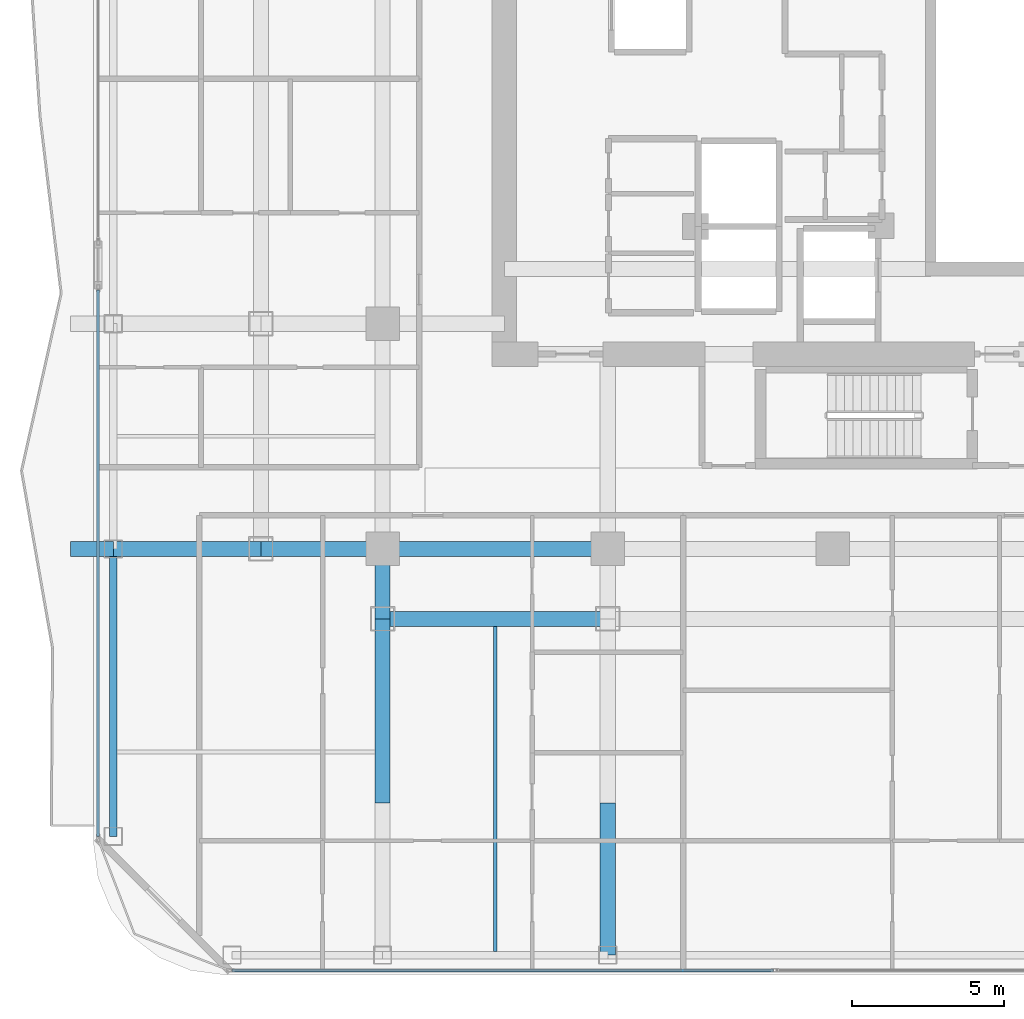
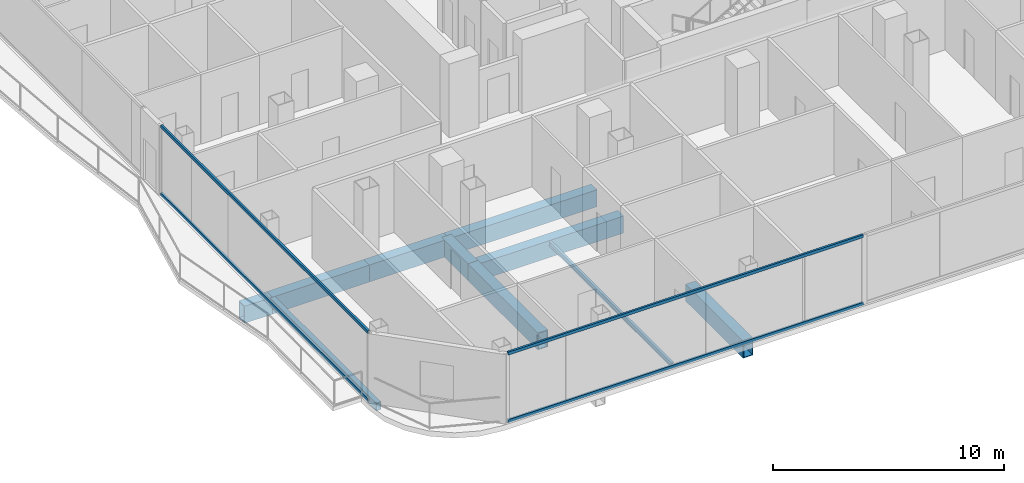
# One storey, part 3 of 24: 10 beams, 4 members, 2 elements without a shape of their own.
"""IFC4 building model written with IfcOpenShell, lengths in metres."""

from ifc_helpers import new_model, si_unit, direction, frame, origin, origin_2d, place, context, subcontext, project, spatial, hollow_rectangle, i_section, extrude, material, layer, layer_set, material_profile, profile_set, type_object, element, aggregate, save


model = new_model("IFC4")

# Units and contexts
model_context = context("Model", 3, precision=1e-05, world=origin(), true_north=direction((0.0, 1.0)))
body_context = subcontext(model_context, "Body", "Model", "MODEL_VIEW")
ifc_project = project(units=[si_unit("LENGTHUNIT", "METRE"), si_unit("AREAUNIT", "SQUARE_METRE"), si_unit("VOLUMEUNIT", "CUBIC_METRE"), si_unit("PLANEANGLEUNIT", "RADIAN"), si_unit("MASSUNIT", "GRAM", prefix="KILO")], contexts=[model_context])

# Site, building, storey
site_placement = place(None, origin())
site = spatial("IfcSite", under=ifc_project, at=site_placement, CompositionType="ELEMENT")
building_placement = place(site_placement, origin())
building = spatial("IfcBuilding", under=site, at=building_placement, Name="Khorvyn Point Tower", CompositionType="ELEMENT")
storey_placement = place(building_placement, frame((0.0, 0.0, 191.39990234375)))
storey = spatial("IfcBuildingStorey", under=building, at=storey_placement, Name="L47", CompositionType="ELEMENT", Elevation=191.39990234375)

# Curtain wall, members
ifc_material_1 = material(Name="Anodised aluminium 6063-T6 and laminated Low-E glass", Category="aluminium")
ifc_layer = layer(ifc_material_1, 0.18994140625)
ifc_layer_set = layer_set([ifc_layer], Name="Stick-Built Acoustic Curtain Wall CW-SYS-03")
curtain_wall_type = type_object("IfcCurtainWallType", Name="Stick-Built Acoustic Curtain Wall CW-SYS-03", PredefinedType="NOTDEFINED", material=ifc_layer_set)
curtain_wall_1_placement = place(storey_placement, origin())
curtain_wall_1 = element("IfcCurtainWall", 1, at=curtain_wall_1_placement, inside=storey, type_object=curtain_wall_type, Name="Curtain Wall", PredefinedType="NOTDEFINED")
ifc_material_2 = material(Name="Anodised aluminium 6063-T6", Category="aluminium")
ifc_material_profile_1 = material_profile(ifc_material_2, hollow_rectangle(XDim=0.10009765625, YDim=0.159912109375, WallThickness=0.00439453125, at=origin_2d()))
ifc_profile_set_1 = profile_set([ifc_material_profile_1], Name="Anodised aluminium 6063-T6 ALU-TRN-100x160")
member_type = type_object("IfcMemberType", Name="Anodised Aluminium 6063-T6 Transom ALU-TRN-100x160", PredefinedType="USERDEFINED", material=ifc_profile_set_1)
member_1_placement = place(storey_placement, frame((-1.949951171875, -28.64990234375, 0.050048828125), z_axis=(-1.0, 0.0, 0.0), x_axis=(0.0, -1.0, 0.0)))
member_1 = element("IfcMember", 2, at=member_1_placement, type_object=member_type, Name="Transom", ObjectType="TRANSOM", PredefinedType="USERDEFINED", context=body_context, shape_type="SweptSolid", body=[
    extrude(hollow_rectangle(XDim=0.10009765625, YDim=0.159912109375, WallThickness=0.00439453125, at=origin_2d()), origin(), (0.0, 0.0, 1.0), 17.800048828125),
])
member_2_placement = place(storey_placement, frame((-1.949951171875, -28.64990234375, 3.630126953125), z_axis=(-1.0, 0.0, 0.0), x_axis=(0.0, -1.0, 0.0)))
member_2 = element("IfcMember", 3, at=member_2_placement, type_object=member_type, Name="Transom", ObjectType="TRANSOM", PredefinedType="USERDEFINED", context=body_context, shape_type="SweptSolid", body=[
    extrude(hollow_rectangle(XDim=0.10009765625, YDim=0.159912109375, WallThickness=0.00439453125, at=origin_2d()), origin(), (0.0, 0.0, 1.0), 17.800048828125),
])
aggregate(curtain_wall_1, [member_1, member_2])

curtain_wall_2_placement = place(storey_placement, origin())
curtain_wall_2 = element("IfcCurtainWall", 4, at=curtain_wall_2_placement, inside=storey, type_object=curtain_wall_type, Name="Curtain Wall", PredefinedType="NOTDEFINED")
member_3_placement = place(storey_placement, frame((-24.14990234375, -24.25, 0.050048828125), z_axis=(0.0, 1.0, 0.0), x_axis=(-1.0, 0.0, 0.0)))
member_3 = element("IfcMember", 5, at=member_3_placement, type_object=member_type, Name="Transom", ObjectType="TRANSOM", PredefinedType="USERDEFINED", context=body_context, shape_type="SweptSolid", body=[
    extrude(hollow_rectangle(XDim=0.10009765625, YDim=0.159912109375, WallThickness=0.00439453125, at=origin_2d()), origin(), (0.0, 0.0, 1.0), 17.966064453125),
])
member_4_placement = place(storey_placement, frame((-24.14990234375, -24.25, 3.630126953125), z_axis=(0.0, 1.0, 0.0), x_axis=(-1.0, 0.0, 0.0)))
member_4 = element("IfcMember", 6, at=member_4_placement, type_object=member_type, Name="Transom", ObjectType="TRANSOM", PredefinedType="USERDEFINED", context=body_context, shape_type="SweptSolid", body=[
    extrude(hollow_rectangle(XDim=0.10009765625, YDim=0.159912109375, WallThickness=0.00439453125, at=origin_2d()), origin(), (0.0, 0.0, 1.0), 17.966064453125),
])
aggregate(curtain_wall_2, [member_3, member_4])

# Beams
ifc_material_3 = material(Name="Steel S355", Category="steel")
ifc_material_profile_2 = material_profile(ifc_material_3, i_section(OverallWidth=0.125, OverallDepth=0.25, WebThickness=0.006103515625, FlangeThickness=0.009033203125, at=origin_2d()))
ifc_profile_set_2 = profile_set([ifc_material_profile_2], Name="Steel S355 H250x125x6x9")
beam_type_1 = type_object("IfcBeamType", Name="Steel S355 Joist H250x125x6x9", PredefinedType="JOIST", material=ifc_profile_set_2)
beam_1_placement = place(storey_placement, frame((-11.10009765625, -28.02490234375, -0.40478515625), z_axis=(0.0, 1.0, 0.0), x_axis=(-1.0, 0.0, 0.0)))
element("IfcBeam", 7, at=beam_1_placement, inside=storey, type_object=beam_type_1, Name="Beam", PredefinedType="JOIST", context=body_context, shape_type="SweptSolid", body=[
    extrude(i_section(OverallWidth=0.125, OverallDepth=0.25, WebThickness=0.006103515625, FlangeThickness=0.009033203125, at=origin_2d()), origin(), (0.0, 0.0, 1.0), 10.6748046875),
])
ifc_material_profile_3 = material_profile(ifc_material_3, hollow_rectangle(XDim=0.25, YDim=0.39990234375, WallThickness=0.01611328125, at=origin_2d()))
ifc_profile_set_3 = profile_set([ifc_material_profile_3], Name="Steel S355 RHS400x250x16")
beam_type_2 = type_object("IfcBeamType", Name="Steel S355 Spandrel RHS400x250x16", PredefinedType="SPANDREL", material=ifc_profile_set_3)
beam_2_placement = place(storey_placement, frame((-23.64990234375, -24.25, -0.47998046875), z_axis=(0.0, 1.0, 0.0), x_axis=(-1.0, 0.0, 0.0)))
element("IfcBeam", 8, at=beam_2_placement, inside=storey, type_object=beam_type_2, Name="Beam", PredefinedType="SPANDREL", context=body_context, shape_type="SweptSolid", body=[
    extrude(hollow_rectangle(XDim=0.25, YDim=0.39990234375, WallThickness=0.01611328125, at=origin_2d()), origin(), (0.0, 0.0, 1.0), 9.449951171875),
])
ifc_material_4 = material(Name="Steel S450", Category="steel")
ifc_material_profile_4 = material_profile(ifc_material_4, hollow_rectangle(XDim=0.5, YDim=0.89990234375, WallThickness=0.0400390625, at=origin_2d()))
ifc_profile_set_4 = profile_set([ifc_material_profile_4], Name="Steel S450 BOX900x500x40")
beam_type_3 = type_object("IfcBeamType", Name="Steel S450 Beam BOX900x500x40", PredefinedType="BEAM", material=ifc_profile_set_4)
beam_3_placement = place(storey_placement, frame((-25.050048828125, -14.800048828125, -0.72998046875), z_axis=(1.0, 0.0, 0.0), x_axis=(0.0, 1.0, 0.0)))
element("IfcBeam", 9, at=beam_3_placement, inside=storey, type_object=beam_type_3, Name="L47 Radial Transfer Girder", PredefinedType="BEAM", context=body_context, shape_type="SweptSolid", body=[
    extrude(hollow_rectangle(XDim=0.5, YDim=0.89990234375, WallThickness=0.0400390625, at=origin_2d()), origin(), (0.0, 0.0, 1.0), 1.400146484375),
])
beam_4_placement = place(storey_placement, frame((-23.64990234375, -14.800048828125, -0.72998046875), z_axis=(1.0, 0.0, 0.0), x_axis=(0.0, 1.0, 0.0)))
element("IfcBeam", 10, at=beam_4_placement, inside=storey, type_object=beam_type_3, Name="L47 Radial Transfer Girder", PredefinedType="BEAM", context=body_context, shape_type="SweptSolid", body=[
    extrude(hollow_rectangle(XDim=0.5, YDim=0.89990234375, WallThickness=0.0400390625, at=origin_2d()), origin(), (0.0, 0.0, 1.0), 4.849853515625),
])
beam_5_placement = place(storey_placement, frame((-18.800048828125, -14.800048828125, -0.72998046875), z_axis=(1.0, 0.0, 0.0), x_axis=(0.0, 1.0, 0.0)))
element("IfcBeam", 11, at=beam_5_placement, inside=storey, type_object=beam_type_3, Name="L47 Radial Transfer Girder", PredefinedType="BEAM", context=body_context, shape_type="SweptSolid", body=[
    extrude(hollow_rectangle(XDim=0.5, YDim=0.89990234375, WallThickness=0.0400390625, at=origin_2d()), origin(), (0.0, 0.0, 1.0), 4.0),
])
for number, where, z_axis, x_axis, name in (
    (12, (-14.800048828125, -14.800048828125, -0.72998046875), (1.0, 0.0, 0.0), (0.0, 1.0, 0.0), "L47 Radial Transfer Girder"),
    (13, (-14.800048828125, -17.10009765625, -0.72998046875), (1.0, 0.0, 0.0), (0.0, 1.0, 0.0), "Beam"),
):
    element("IfcBeam", number, at=place(storey_placement, frame(where, z_axis=z_axis, x_axis=x_axis)), inside=storey, type_object=beam_type_3, Name=name, PredefinedType="BEAM", context=body_context, shape_type="SweptSolid", body=[
        extrude(hollow_rectangle(XDim=0.5, YDim=0.89990234375, WallThickness=0.0400390625, at=origin_2d()), origin(), (0.0, 0.0, 1.0), 7.400146484375),
    ])
beam_6_placement = place(storey_placement, frame((-14.800048828125, -23.14990234375, -0.72998046875), z_axis=(0.0, 1.0, 0.0), x_axis=(-1.0, 0.0, 0.0)))
element("IfcBeam", 14, at=beam_6_placement, inside=storey, type_object=beam_type_3, Name="L47 Radial Transfer Girder", PredefinedType="BEAM", context=body_context, shape_type="SweptSolid", body=[
    extrude(hollow_rectangle(XDim=0.5, YDim=0.89990234375, WallThickness=0.0400390625, at=origin_2d()), origin(), (0.0, 0.0, 1.0), 6.0498046875),
])
beam_7_placement = place(storey_placement, frame((-14.800048828125, -17.10009765625, -0.72998046875), z_axis=(0.0, 1.0, 0.0), x_axis=(-1.0, 0.0, 0.0)))
element("IfcBeam", 15, at=beam_7_placement, inside=storey, type_object=beam_type_3, Name="L47 Radial Transfer Girder", PredefinedType="BEAM", context=body_context, shape_type="SweptSolid", body=[
    extrude(hollow_rectangle(XDim=0.5, YDim=0.89990234375, WallThickness=0.0400390625, at=origin_2d()), origin(), (0.0, 0.0, 1.0), 2.300048828125),
])
beam_8_placement = place(storey_placement, frame((-7.39990234375, -28.14990234375, -0.72998046875), z_axis=(0.0, 1.0, 0.0), x_axis=(-1.0, 0.0, 0.0)))
element("IfcBeam", 16, at=beam_8_placement, inside=storey, type_object=beam_type_3, Name="Beam", PredefinedType="BEAM", context=body_context, shape_type="SweptSolid", body=[
    extrude(hollow_rectangle(XDim=0.5, YDim=0.89990234375, WallThickness=0.0400390625, at=origin_2d()), origin(), (0.0, 0.0, 1.0), 5.0),
])

save(model, "model.ifc")
